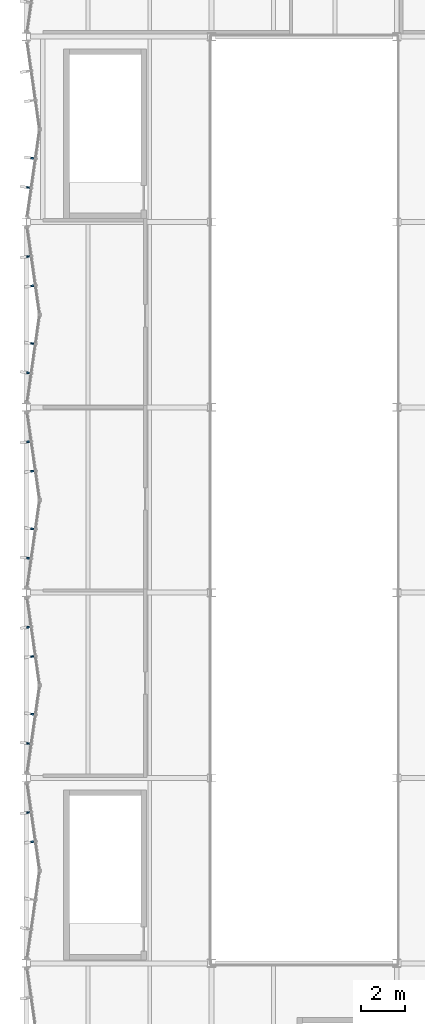
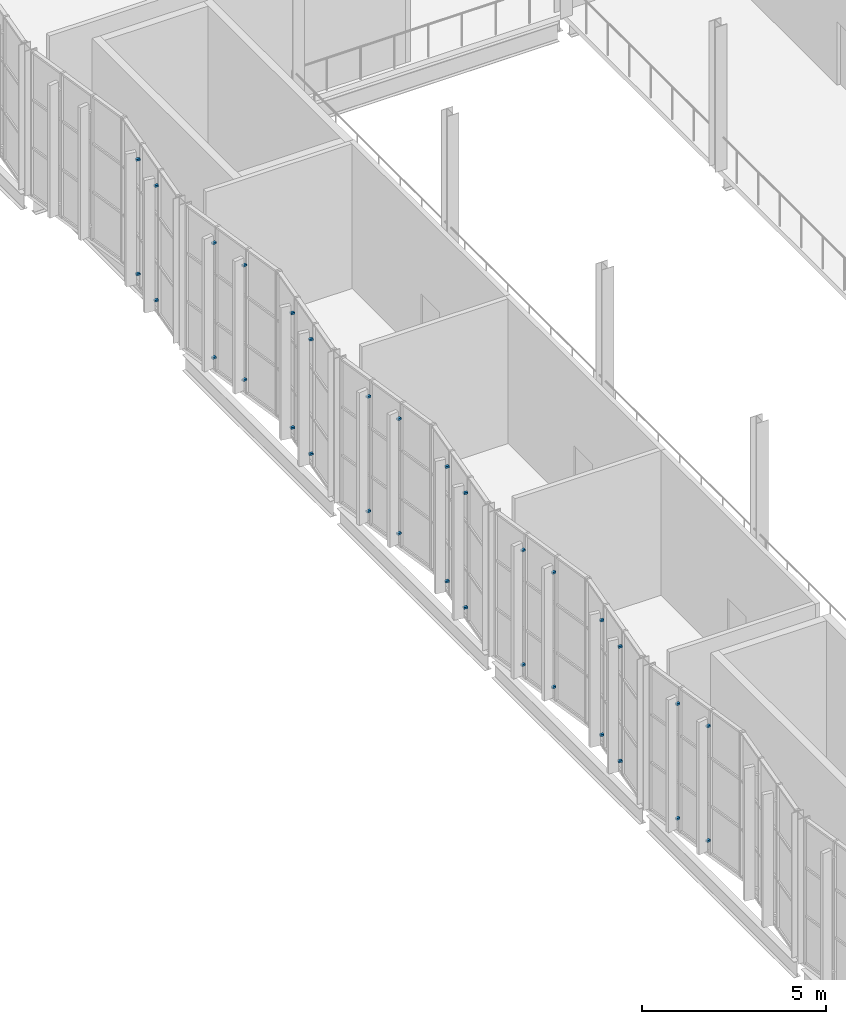
# One storey, part 92 of 116: 32 discrete accessories.
"""IFC4 building model written with IfcOpenShell, lengths in metres."""

from ifc_helpers import new_model, si_unit, direction, frame, origin, origin_2d, place, context, subcontext, project, spatial, rectangle, extrude, material, type_object, element, save


model = new_model("IFC4")

# Units and contexts
model_context = context("Model", 3, precision=1e-05, world=origin(), true_north=direction((0.0, 1.0)))
body_context = subcontext(model_context, "Body", "Model", "MODEL_VIEW")
ifc_project = project(units=[si_unit("LENGTHUNIT", "METRE"), si_unit("AREAUNIT", "SQUARE_METRE"), si_unit("VOLUMEUNIT", "CUBIC_METRE"), si_unit("PLANEANGLEUNIT", "RADIAN"), si_unit("MASSUNIT", "GRAM", prefix="KILO")], contexts=[model_context])

# Site, building, storey
site_placement = place(None, origin())
site = spatial("IfcSite", under=ifc_project, at=site_placement, CompositionType="ELEMENT")
building_placement = place(site_placement, origin())
building = spatial("IfcBuilding", under=site, at=building_placement, Name="Ljudholm Concert House", CompositionType="ELEMENT")
storey_placement = place(building_placement, frame((0.0, 0.0, 10.199951171875)))
storey = spatial("IfcBuildingStorey", under=building, at=storey_placement, Name="L02", CompositionType="ELEMENT", Elevation=10.199951171875)

# Discrete accessories
ifc_material = material(Name="Stainless steel bracket", Category="steel")
discrete_accessory_type = type_object("IfcDiscreteAccessoryType", Name="BRACKET 120", PredefinedType="BRACKET", material=ifc_material)
for number, where, z_axis, x_axis, name in (
    (1, (4.271728515625, 68.3076171875, 0.469970703125), (0.0, 0.0, 1.0), (-0.989949493662, -0.141421356235, 0.0), "Fin bracket"),
    (2, (4.271728515625, 68.3076171875, 4.27001953125), (0.0, 0.0, 1.0), (-0.989949493662, -0.141421356235, 0.0), "Fin bracket"),
    (3, (4.08203125, 69.635009765625, 0.469970703125), (0.0, 0.0, 1.0), (-0.989949493662, -0.141421356235, 0.0), "Fin bracket"),
    (4, (4.08203125, 69.635009765625, 4.27001953125), (0.0, 0.0, 1.0), (-0.989949493662, -0.141421356235, 0.0), "Fin bracket"),
    (5, (4.08203125, 72.764892578125, 0.469970703125), (0.0, 0.0, 1.0), (-0.989949493662, 0.141421356235, 0.0), "Fin bracket"),
    (6, (4.08203125, 72.764892578125, 4.27001953125), (0.0, 0.0, 1.0), (-0.989949493662, 0.141421356235, 0.0), "Fin bracket"),
    (7, (4.271728515625, 74.09228515625, 0.469970703125), (0.0, 0.0, 1.0), (-0.989949493662, 0.141421356235, 0.0), "Fin bracket"),
    (8, (4.271728515625, 74.09228515625, 4.27001953125), (0.0, 0.0, 1.0), (-0.989949493662, 0.141421356235, 0.0), "Fin bracket"),
    (9, (4.271728515625, 76.70751953125, 0.469970703125), (0.0, 0.0, 1.0), (-0.989949493662, -0.141421356235, 0.0), "Fin bracket"),
    (10, (4.271728515625, 76.70751953125, 4.27001953125), (0.0, 0.0, 1.0), (-0.989949493662, -0.141421356235, 0.0), "Fin bracket"),
    (11, (4.08203125, 78.034912109375, 0.469970703125), (0.0, 0.0, 1.0), (-0.989949493662, -0.141421356235, 0.0), "Fin bracket"),
    (12, (4.08203125, 78.034912109375, 4.27001953125), (0.0, 0.0, 1.0), (-0.989949493662, -0.141421356235, 0.0), "Fin bracket"),
    (13, (4.08203125, 81.1650390625, 0.469970703125), (0.0, 0.0, 1.0), (-0.989949493662, 0.141421356235, 0.0), "Fin bracket"),
    (14, (4.08203125, 81.1650390625, 4.27001953125), (0.0, 0.0, 1.0), (-0.989949493662, 0.141421356235, 0.0), "Fin bracket"),
    (15, (4.271728515625, 82.492431640625, 0.469970703125), (0.0, 0.0, 1.0), (-0.989949493662, 0.141421356235, 0.0), "Fin bracket"),
    (16, (4.271728515625, 82.492431640625, 4.27001953125), (0.0, 0.0, 1.0), (-0.989949493662, 0.141421356235, 0.0), "Fin bracket"),
    (17, (4.271728515625, 85.107666015625, 0.469970703125), (0.0, 0.0, 1.0), (-0.989949493662, -0.141421356235, 0.0), "Fin bracket"),
    (18, (4.271728515625, 85.107666015625, 4.27001953125), (0.0, 0.0, 1.0), (-0.989949493662, -0.141421356235, 0.0), "Fin bracket"),
    (19, (4.08203125, 86.43505859375, 0.469970703125), (0.0, 0.0, 1.0), (-0.989949493662, -0.141421356235, 0.0), "Fin bracket"),
    (20, (4.08203125, 86.43505859375, 4.27001953125), (0.0, 0.0, 1.0), (-0.989949493662, -0.141421356235, 0.0), "Fin bracket"),
    (21, (4.08203125, 89.56494140625, 0.469970703125), (0.0, 0.0, 1.0), (-0.989949493662, 0.141421356235, 0.0), "Fin bracket"),
    (22, (4.08203125, 89.56494140625, 4.27001953125), (0.0, 0.0, 1.0), (-0.989949493662, 0.141421356235, 0.0), "Fin bracket"),
    (23, (4.271728515625, 90.892333984375, 0.469970703125), (0.0, 0.0, 1.0), (-0.989949493662, 0.141421356235, 0.0), "Fin bracket"),
    (24, (4.271728515625, 90.892333984375, 4.27001953125), (0.0, 0.0, 1.0), (-0.989949493662, 0.141421356235, 0.0), "Fin bracket"),
    (25, (4.271728515625, 93.507568359375, 0.469970703125), (0.0, 0.0, 1.0), (-0.989949493662, -0.141421356235, 0.0), "Fin bracket"),
    (26, (4.271728515625, 93.507568359375, 4.27001953125), (0.0, 0.0, 1.0), (-0.989949493662, -0.141421356235, 0.0), "Fin bracket"),
    (27, (4.08203125, 94.8349609375, 0.469970703125), (0.0, 0.0, 1.0), (-0.989949493662, -0.141421356235, 0.0), "Fin bracket"),
    (28, (4.08203125, 94.8349609375, 4.27001953125), (0.0, 0.0, 1.0), (-0.989949493662, -0.141421356235, 0.0), "Fin bracket"),
    (29, (4.08203125, 97.965087890625, 0.469970703125), (0.0, 0.0, 1.0), (-0.989949493662, 0.141421356235, 0.0), "Fin bracket"),
    (30, (4.08203125, 97.965087890625, 4.27001953125), (0.0, 0.0, 1.0), (-0.989949493662, 0.141421356235, 0.0), "Fin bracket"),
    (31, (4.271728515625, 99.29248046875, 0.469970703125), (0.0, 0.0, 1.0), (-0.989949493662, 0.141421356235, 0.0), "Fin bracket"),
    (32, (4.271728515625, 99.29248046875, 4.27001953125), (0.0, 0.0, 1.0), (-0.989949493662, 0.141421356235, 0.0), "Fin bracket"),
):
    element("IfcDiscreteAccessory", number, at=place(storey_placement, frame(where, z_axis=z_axis, x_axis=x_axis)), inside=storey, type_object=discrete_accessory_type, Name=name, PredefinedType="BRACKET", context=body_context, shape_type="SweptSolid", body=[
        extrude(rectangle(XDim=0.1201171875, YDim=0.080078125, at=origin_2d()), origin(), (0.0, 0.0, 1.0), 0.06005859375),
    ])

save(model, "model.ifc")
